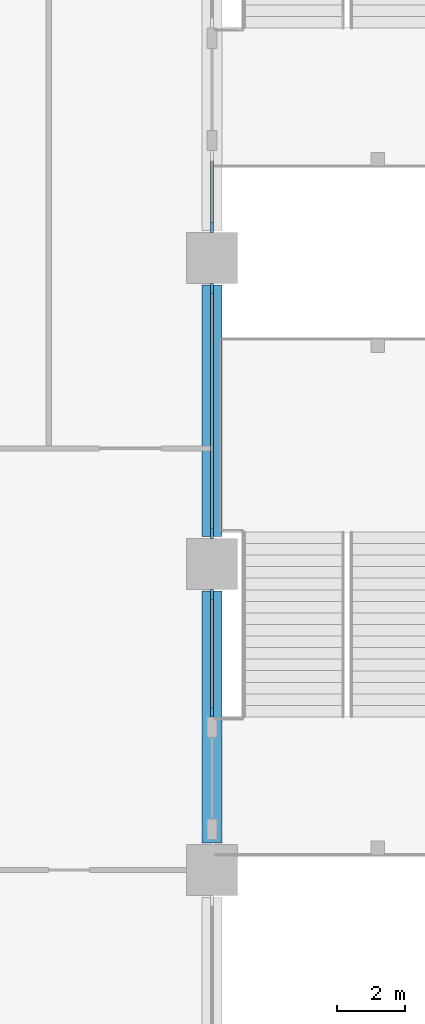
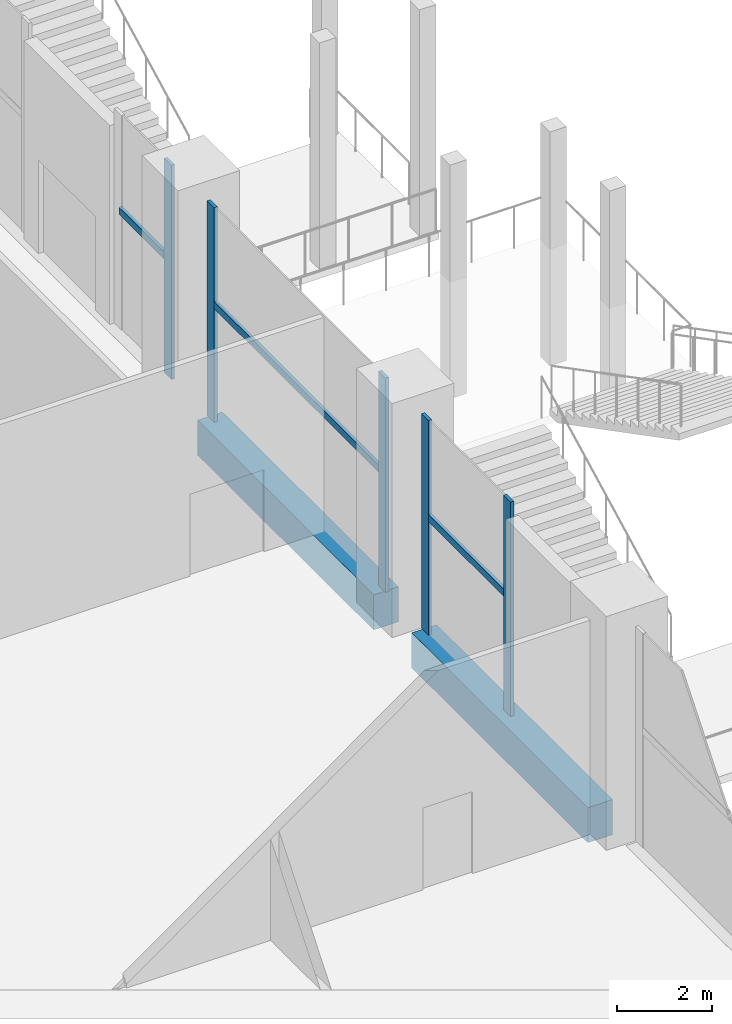
# One storey, part 9 of 49: 8 members, 2 beams, 3 elements without a shape of their own.
"""IFC4 building model written with IfcOpenShell, lengths in metres."""

import ifcopenshell
import ifcopenshell.guid

model = None  # the IFC model being written
_history = None  # IfcOwnerHistory: only IFC2X3 demands one
_inside = {}  # id of a spatial element -> (the spatial element, [elements in it])
_under = {}  # id of a project, library or spatial element -> (it, [spatial elements below it])
_declared = {}  # id of a project -> (the project, [libraries it declares])
_typed = {}  # id of a type object -> (the type object, [elements of that type])
_made_of = {}  # id of a material, layer set ... -> (it, [elements and type objects made of it])


def new_model(schema):
    """Start an empty IFC model of exactly this schema.

    Asked for "IFC4X3", IfcOpenShell would pick the latest addendum, in which some entities
    have other attributes; the version numbers below select the first issue.
    IFC2X3 requires an IfcOwnerHistory on every rooted entity: one is made here for all.
    """
    global model, _history
    if schema == "IFC4X3":
        model = ifcopenshell.file(schema_version=(4, 3, 0, 0))
    else:
        model = ifcopenshell.file(schema=schema)
    _inside.clear()
    _under.clear()
    _declared.clear()
    _typed.clear()
    _made_of.clear()
    _history = None
    if model.schema == "IFC2X3":
        org = make("IfcOrganization", Name="unknown")
        user = make(
            "IfcPersonAndOrganization",
            ThePerson=make("IfcPerson", FamilyName="unknown"),
            TheOrganization=org,
        )
        app = make(
            "IfcApplication",
            ApplicationDeveloper=org,
            Version="unknown",
            ApplicationFullName="unknown",
            ApplicationIdentifier="unknown",
        )
        _history = make(
            "IfcOwnerHistory",
            OwningUser=user,
            OwningApplication=app,
            ChangeAction="ADDED",
            CreationDate=0,
        )
    return model


def make(cls, **values):
    """One entity of the class cls with the attributes given. An attribute that is None is left unset."""
    return model.create_entity(
        cls, **{name: value for name, value in values.items() if value is not None}
    )


def rooted(cls, **values):
    """An entity with a GlobalId (a new one), such as an element, a storey or a relation."""
    return make(cls, GlobalId=ifcopenshell.guid.new(), OwnerHistory=_history, **values)


def si_unit(unit_type, name, prefix=None):
    """IfcSIUnit, for example si_unit("LENGTHUNIT", "METRE", prefix="MILLI")."""
    return make("IfcSIUnit", UnitType=unit_type, Prefix=prefix, Name=name)


def assignment(units):
    """IfcUnitAssignment: the units of a project."""
    return None if units is None else make("IfcUnitAssignment", Units=units)


def point(xyz):
    """IfcCartesianPoint."""
    return None if xyz is None else make("IfcCartesianPoint", Coordinates=xyz)


def direction(xyz):
    """IfcDirection."""
    return None if xyz is None else make("IfcDirection", DirectionRatios=xyz)


def frame(location, z_axis=None, x_axis=None):
    """IfcAxis2Placement3D, a coordinate frame: its origin and axes. An axis left out is left unset."""
    return make(
        "IfcAxis2Placement3D",
        Location=point(location),
        Axis=direction(z_axis),
        RefDirection=direction(x_axis),
    )


def frame_2d(location, x_axis=None):
    """IfcAxis2Placement2D, a coordinate frame in the plane: its origin and x axis."""
    return make(
        "IfcAxis2Placement2D", Location=point(location), RefDirection=direction(x_axis)
    )


def origin():
    """The frame at (0, 0, 0) with its axes left unset."""
    return frame((0.0, 0.0, 0.0))


def origin_2d():
    """The frame at (0, 0) in the plane with its x axis left unset."""
    return frame_2d((0.0, 0.0))


def place(relative_to, where):
    """IfcLocalPlacement: puts the frame where relative to a parent placement (None: the world)."""
    return make(
        "IfcLocalPlacement", PlacementRelTo=relative_to, RelativePlacement=where
    )


def context(
    kind, dimensions, precision=None, world=None, true_north=None, identifier=None
):
    """IfcGeometricRepresentationContext, for example the 3D "Model" context."""
    return make(
        "IfcGeometricRepresentationContext",
        ContextIdentifier=identifier,
        ContextType=kind,
        CoordinateSpaceDimension=dimensions,
        Precision=precision,
        WorldCoordinateSystem=world,
        TrueNorth=true_north,
    )


def subcontext(parent, identifier, kind, view, scale=None):
    """IfcGeometricRepresentationSubContext, for example "Body" below "Model"."""
    return make(
        "IfcGeometricRepresentationSubContext",
        ContextIdentifier=identifier,
        ContextType=kind,
        ParentContext=parent,
        TargetScale=scale,
        TargetView=view,
    )


def project(units=None, contexts=None):
    """IfcProject with its units and contexts."""
    return rooted(
        "IfcProject",
        Name="project",
        RepresentationContexts=contexts,
        UnitsInContext=assignment(units),
    )


def spatial(cls, under=None, at=None, **own):
    """A site, building, storey or space (cls), placed at a placement, below another one or the project."""
    s = rooted(cls, ObjectPlacement=at, **own)
    if under is not None:
        _under.setdefault(under.id(), (under, []))[1].append(s)
    return s


def profile(cls, at=None, kind="AREA", **sizes):
    """A parametric profile (cls). Its sizes go by their IFC names, for example OverallWidth=200.0."""
    return make(cls, ProfileType=kind, Position=at, **sizes)


def rectangle(**sizes):
    """IfcRectangleProfileDef."""
    return profile("IfcRectangleProfileDef", **sizes)


def extrude(swept, where, along, depth):
    """IfcExtrudedAreaSolid: the profile swept, set in the frame where, extruded along a direction by depth."""
    return make(
        "IfcExtrudedAreaSolid",
        SweptArea=swept,
        Position=where,
        ExtrudedDirection=direction(along),
        Depth=depth,
    )


def shape(context_of_items, identifier, shape_type, items):
    """IfcShapeRepresentation: the items that make up one representation, for example the "Body"."""
    return make(
        "IfcShapeRepresentation",
        ContextOfItems=context_of_items,
        RepresentationIdentifier=identifier,
        RepresentationType=shape_type,
        Items=items,
    )


def material(Name=None, Category=None):
    """IfcMaterial."""
    return make("IfcMaterial", Name=Name, Category=Category)


def material_profile(
    of_material, cross_section, Name=None, Category=None, Priority=None
):
    """IfcMaterialProfile: a cross section and its material."""
    return make(
        "IfcMaterialProfile",
        Name=Name,
        Material=of_material,
        Profile=cross_section,
        Priority=Priority,
        Category=Category,
    )


def profile_set(profiles, Name=None, composite=None):
    """IfcMaterialProfileSet."""
    return make(
        "IfcMaterialProfileSet",
        Name=Name,
        MaterialProfiles=profiles,
        CompositeProfile=composite,
    )


def made_of(thing, what):
    """Note that an element or type object is made of a material, layer set ...; save() writes the relation."""
    if what is not None:
        _made_of.setdefault(what.id(), (what, []))[1].append(thing)
    return thing


def type_object(cls, material=None, **own):
    """A type object (cls), such as IfcWallType, which elements share."""
    return made_of(rooted(cls, **own), material)


def element(
    cls,
    number,
    at=None,
    inside=None,
    cuts=None,
    type_object=None,
    material=None,
    context=None,
    identifier="Body",
    shape_type=None,
    held_by="IfcProductDefinitionShape",
    body=None,
    shapes=None,
    **own,
):
    """One element of the class cls, such as IfcWall. Its Tag is "e" and its number.

    at: its placement. inside: the storey or other place that contains it. cuts: it is an
    opening in that element (IfcRelVoidsElement). A single representation is given by context,
    identifier, shape_type and body (its items); several are given by shapes. held_by: the class
    of the entity that holds the representations. save() writes the other relations.
    """
    e = rooted(cls, Tag="e%d" % number, ObjectPlacement=at, **own)
    if body is not None:
        shapes = [shape(context, identifier, shape_type, body)]
    if shapes is not None:
        e.Representation = make(held_by, Representations=shapes)
    if inside is not None:
        _inside.setdefault(inside.id(), (inside, []))[1].append(e)
    if cuts is not None:
        rooted(
            "IfcRelVoidsElement", RelatingBuildingElement=cuts, RelatedOpeningElement=e
        )
    if type_object is not None:
        _typed.setdefault(type_object.id(), (type_object, []))[1].append(e)
    return made_of(e, material)


def aggregate(whole, parts):
    """IfcRelAggregates: a whole, such as a stair, and the parts it consists of."""
    return rooted("IfcRelAggregates", RelatingObject=whole, RelatedObjects=parts)


def save(model, path):
    """Write the relations noted so far, then the file.

    IfcRelAggregates (storeys below a building ...), IfcRelContainedInSpatialStructure (elements
    in a storey), IfcRelDefinesByType, IfcRelAssociatesMaterial and IfcRelDeclares: one each for
    every whole, place, type object, material and project.
    """
    for whole, parts in _under.values():
        aggregate(whole, parts)
    for where, things in _inside.values():
        rooted(
            "IfcRelContainedInSpatialStructure",
            RelatedElements=things,
            RelatingStructure=where,
        )
    for kind, things in _typed.values():
        rooted("IfcRelDefinesByType", RelatedObjects=things, RelatingType=kind)
    for what, things in _made_of.values():
        rooted("IfcRelAssociatesMaterial", RelatedObjects=things, RelatingMaterial=what)
    for by, libraries in _declared.values():
        rooted("IfcRelDeclares", RelatingContext=by, RelatedDefinitions=libraries)
    model.write(path)


model = new_model("IFC4")

# Units and contexts
model_context = context("Model", 3, precision=1e-05, world=origin(), true_north=direction((0.0, 1.0)))
body_context = subcontext(model_context, "Body", "Model", "MODEL_VIEW")
ifc_project = project(units=[si_unit("LENGTHUNIT", "METRE"), si_unit("AREAUNIT", "SQUARE_METRE"), si_unit("VOLUMEUNIT", "CUBIC_METRE"), si_unit("PLANEANGLEUNIT", "RADIAN"), si_unit("MASSUNIT", "GRAM", prefix="KILO")], contexts=[model_context])

# Site, building, storey
site_placement = place(None, origin())
site = spatial("IfcSite", under=ifc_project, at=site_placement, CompositionType="ELEMENT")
building_placement = place(site_placement, origin())
building = spatial("IfcBuilding", under=site, at=building_placement, Name="Candeia Pilgrim Tower and Theatre", CompositionType="ELEMENT")
storey_placement = place(building_placement, frame((0.0, 0.0, 17.0)))
storey = spatial("IfcBuildingStorey", under=building, at=storey_placement, Name="L02", CompositionType="ELEMENT", Elevation=17.0)

# Curtain wall, member
ifc_material_1 = material(Name="Aluminium framed podium glazing", Category="aluminium")
curtain_wall_type = type_object("IfcCurtainWallType", Name="CW-P curtain wall", PredefinedType="NOTDEFINED", material=ifc_material_1)
curtain_wall_1_placement = place(storey_placement, origin())
curtain_wall_1 = element("IfcCurtainWall", 1, at=curtain_wall_1_placement, inside=storey, type_object=curtain_wall_type, Name="Curtain wall CW-P L02.221", PredefinedType="NOTDEFINED")
ifc_material_2 = material(Name="Anodised aluminium", Category="aluminium")
ifc_material_profile_1 = material_profile(ifc_material_2, rectangle(XDim=0.080078125, YDim=0.300048828125, at=origin_2d()))
ifc_profile_set_1 = profile_set([ifc_material_profile_1], Name="Anodised aluminium")
member_type_1 = type_object("IfcMemberType", Name="CW-P mullion 80x300", PredefinedType="MULLION", material=ifc_profile_set_1)
member_1_placement = place(storey_placement, frame((159.60009765625, 116.89990234375, 0.0), z_axis=(0.0, 0.0, 1.0), x_axis=(1.0, 0.0, 0.0)))
member_1 = element("IfcMember", 2, at=member_1_placement, type_object=member_type_1, Name="CW-P mullion 2", PredefinedType="MULLION", context=body_context, shape_type="SweptSolid", body=[
    extrude(rectangle(XDim=0.080078125, YDim=0.300048828125, at=origin_2d()), origin(), (0.0, 0.0, 1.0), 5.5),
])

# Curtain wall, members
curtain_wall_2_placement = place(storey_placement, origin())
curtain_wall_2 = element("IfcCurtainWall", 3, at=curtain_wall_2_placement, inside=storey, type_object=curtain_wall_type, Name="Curtain wall CW-P L02.230", PredefinedType="NOTDEFINED")
member_2_placement = place(storey_placement, frame((159.60009765625, 115.10009765625, 0.0), z_axis=(0.0, 0.0, 1.0), x_axis=(1.0, 0.0, 0.0)))
member_2 = element("IfcMember", 4, at=member_2_placement, type_object=member_type_1, Name="CW-P mullion 1", PredefinedType="MULLION", context=body_context, shape_type="SweptSolid", body=[
    extrude(rectangle(XDim=0.080078125, YDim=0.300048828125, at=origin_2d()), origin(), (0.0, 0.0, 1.0), 5.5),
])
member_3_placement = place(storey_placement, frame((159.60009765625, 107.89990234375, 0.0), z_axis=(0.0, 0.0, 1.0), x_axis=(1.0, 0.0, 0.0)))
member_3 = element("IfcMember", 5, at=member_3_placement, type_object=member_type_1, Name="CW-P mullion 2", PredefinedType="MULLION", context=body_context, shape_type="SweptSolid", body=[
    extrude(rectangle(XDim=0.080078125, YDim=0.300048828125, at=origin_2d()), origin(), (0.0, 0.0, 1.0), 5.5),
])

curtain_wall_3_placement = place(storey_placement, origin())
curtain_wall_3 = element("IfcCurtainWall", 6, at=curtain_wall_3_placement, inside=storey, type_object=curtain_wall_type, Name="Curtain wall CW-P L02.240", PredefinedType="NOTDEFINED")
member_4_placement = place(storey_placement, frame((159.60009765625, 106.10009765625, 0.0), z_axis=(0.0, 0.0, 1.0), x_axis=(1.0, 0.0, 0.0)))
member_4 = element("IfcMember", 7, at=member_4_placement, type_object=member_type_1, Name="CW-P mullion 1", PredefinedType="MULLION", context=body_context, shape_type="SweptSolid", body=[
    extrude(rectangle(XDim=0.080078125, YDim=0.300048828125, at=origin_2d()), origin(), (0.0, 0.0, 1.0), 5.5),
])
member_5_placement = place(storey_placement, frame((159.60009765625, 102.64990234375, 0.0), z_axis=(0.0, 0.0, 1.0), x_axis=(1.0, 0.0, 0.0)))
member_5 = element("IfcMember", 8, at=member_5_placement, type_object=member_type_1, Name="CW-P mullion 2", PredefinedType="MULLION", context=body_context, shape_type="SweptSolid", body=[
    extrude(rectangle(XDim=0.080078125, YDim=0.300048828125, at=origin_2d()), origin(), (0.0, 0.0, 1.0), 5.5),
])

# Member
ifc_material_profile_2 = material_profile(ifc_material_2, rectangle(XDim=0.080078125, YDim=0.179931640625, at=origin_2d()))
ifc_profile_set_2 = profile_set([ifc_material_profile_2], Name="Anodised aluminium")
member_type_2 = type_object("IfcMemberType", Name="CW-P transom 80x180", PredefinedType="USERDEFINED", material=ifc_profile_set_2)
member_6_placement = place(storey_placement, frame((159.60009765625, 118.9599609375, 3.0), z_axis=(0.0, -1.0, 0.0), x_axis=(1.0, 0.0, 0.0)))
member_6 = element("IfcMember", 9, at=member_6_placement, type_object=member_type_2, Name="CW-P transom 1.1", ObjectType="TRANSOM", PredefinedType="USERDEFINED", context=body_context, shape_type="SweptSolid", body=[
    extrude(rectangle(XDim=0.080078125, YDim=0.179931640625, at=origin_2d()), origin(), (0.0, 0.0, 1.0), 2.02001953125),
])

aggregate(curtain_wall_1, [member_1, member_6])

member_7_placement = place(storey_placement, frame((159.60009765625, 115.06005859375, 3.0), z_axis=(0.0, -1.0, 0.0), x_axis=(1.0, 0.0, 0.0)))
member_7 = element("IfcMember", 10, at=member_7_placement, type_object=member_type_2, Name="CW-P transom 1.1", ObjectType="TRANSOM", PredefinedType="USERDEFINED", context=body_context, shape_type="SweptSolid", body=[
    extrude(rectangle(XDim=0.080078125, YDim=0.179931640625, at=origin_2d()), origin(), (0.0, 0.0, 1.0), 7.1201171875),
])

aggregate(curtain_wall_2, [member_2, member_3, member_7])

member_8_placement = place(storey_placement, frame((159.60009765625, 106.06005859375, 3.0), z_axis=(0.0, -1.0, 0.0), x_axis=(1.0, 0.0, 0.0)))
member_8 = element("IfcMember", 11, at=member_8_placement, type_object=member_type_2, Name="CW-P transom 1.1", ObjectType="TRANSOM", PredefinedType="USERDEFINED", context=body_context, shape_type="SweptSolid", body=[
    extrude(rectangle(XDim=0.080078125, YDim=0.179931640625, at=origin_2d()), origin(), (0.0, 0.0, 1.0), 3.3701171875),
])

aggregate(curtain_wall_3, [member_4, member_5, member_8])

# Beams
ifc_material_3 = material(Name="Concrete C80/95", Category="concrete")
ifc_material_profile_3 = material_profile(ifc_material_3, rectangle(XDim=0.60009765625, YDim=0.89990234375, at=origin_2d()))
ifc_profile_set_3 = profile_set([ifc_material_profile_3], Name="Concrete C80/95")
beam_type = type_object("IfcBeamType", Name="RC 600x900 C80/95", PredefinedType="BEAM", material=ifc_profile_set_3)
for number, where, z_axis, x_axis, name in (
    (12, (159.60009765625, 98.800048828125, -0.449951171875), (0.0, 1.0, 0.0), (-1.0, 0.0, 0.0), "Spandrel beam L02-03"),
    (13, (159.60009765625, 107.800048828125, -0.449951171875), (0.0, 1.0, 0.0), (-1.0, 0.0, 0.0), "Spandrel beam L02-04"),
):
    element("IfcBeam", number, at=place(storey_placement, frame(where, z_axis=z_axis, x_axis=x_axis)), inside=storey, type_object=beam_type, Name=name, PredefinedType="BEAM", context=body_context, shape_type="SweptSolid", body=[
        extrude(rectangle(XDim=0.60009765625, YDim=0.89990234375, at=origin_2d()), origin(), (0.0, 0.0, 1.0), 7.39990234375),
    ])

save(model, "model.ifc")
